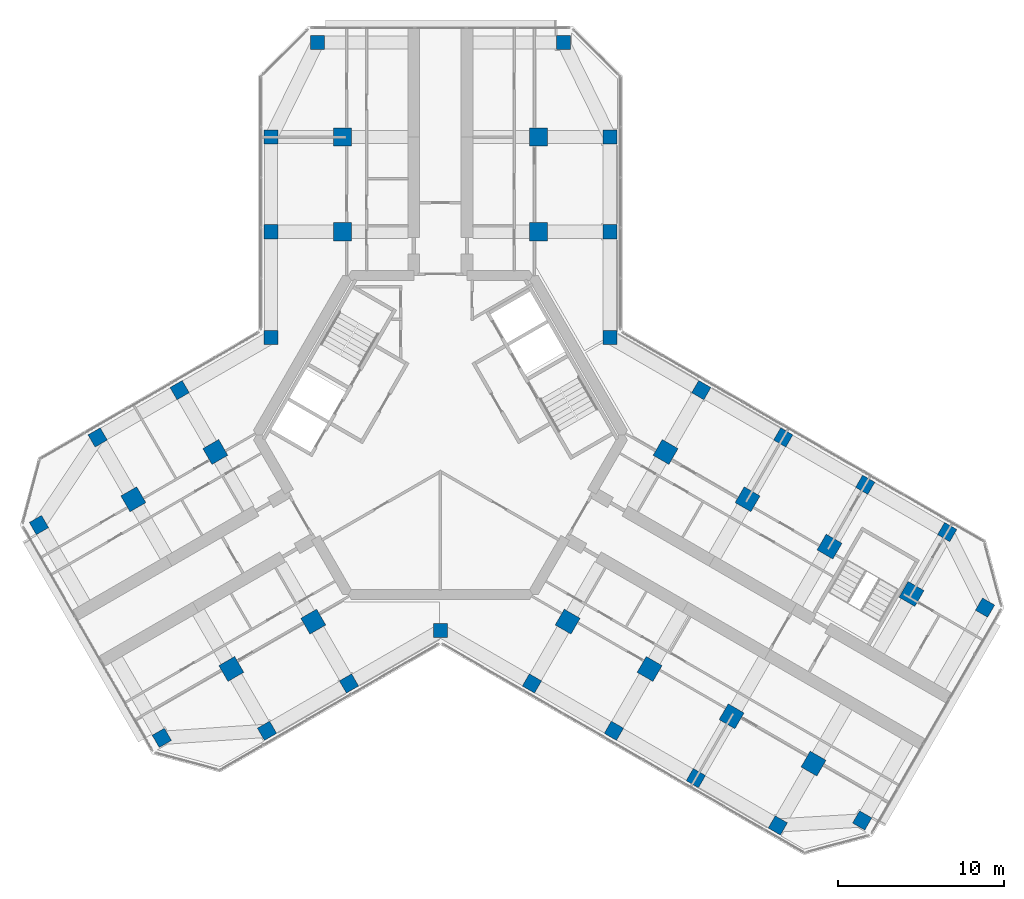
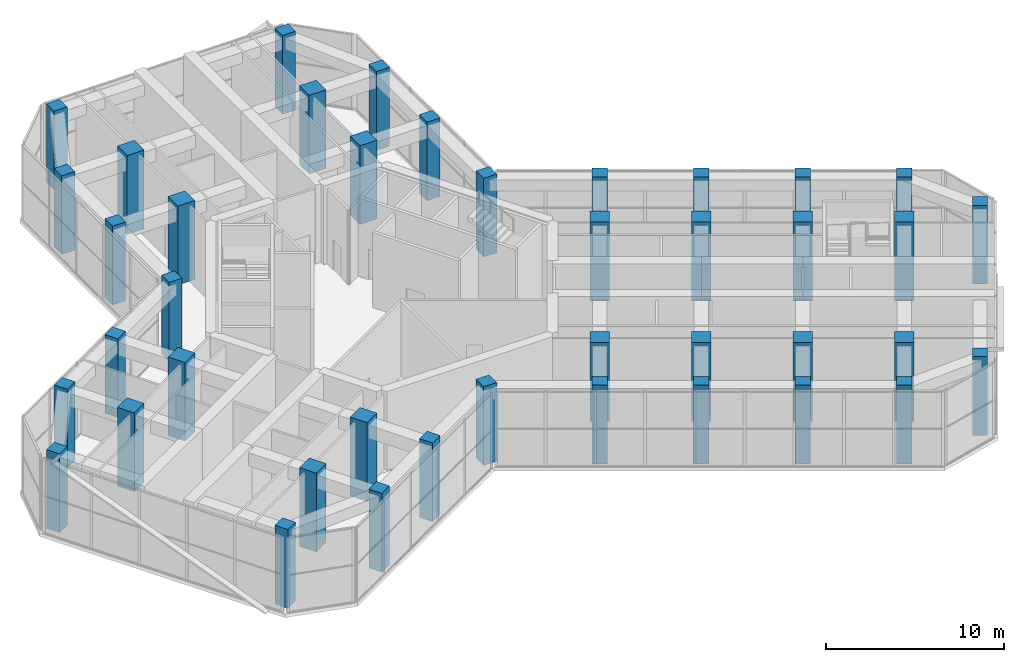
# One storey, part 1 of 16: 41 columns.
"""IFC4 building model written with IfcOpenShell, lengths in metres."""

from ifc_helpers import new_model, si_unit, direction, frame, origin, origin_2d, place, context, subcontext, project, spatial, rectangle, extrude, material, material_profile, profile_set, type_object, element, save


model = new_model("IFC4")

# Units and contexts
model_context = context("Model", 3, precision=1e-05, world=origin(), true_north=direction((0.0, 1.0)))
body_context = subcontext(model_context, "Body", "Model", "MODEL_VIEW")
ifc_project = project(units=[si_unit("LENGTHUNIT", "METRE"), si_unit("AREAUNIT", "SQUARE_METRE"), si_unit("VOLUMEUNIT", "CUBIC_METRE"), si_unit("PLANEANGLEUNIT", "RADIAN"), si_unit("MASSUNIT", "GRAM", prefix="KILO")], contexts=[model_context])

# Site, building, storey
site_placement = place(None, origin())
site = spatial("IfcSite", under=ifc_project, at=site_placement, CompositionType="ELEMENT")
building_placement = place(site_placement, origin())
building = spatial("IfcBuilding", under=site, at=building_placement, Name="Kosmar Iwan School Tower", CompositionType="ELEMENT")
storey_placement = place(building_placement, frame((0.0, 0.0, 226.199951171875)))
storey = spatial("IfcBuildingStorey", under=building, at=storey_placement, Name="L57", CompositionType="ELEMENT", Elevation=226.199951171875)

# Columns
ifc_material_1 = material(Name="Concrete C50/60", Category="concrete")
ifc_material_profile_1 = material_profile(ifc_material_1, rectangle(XDim=0.85009765625, YDim=0.85009765625, at=origin_2d()), Name="RC 850x850 + HD 400x347")
ifc_profile_set_1 = profile_set([ifc_material_profile_1], Name="Concrete C50/60")
column_type_1 = type_object("IfcColumnType", Name="Composite column 850x850 HD 400x347", PredefinedType="COLUMN", material=ifc_profile_set_1)
for number, where, z_axis, x_axis, name in (
    (1, (-10.199951171875, 12.25, 0.0), (0.0, 0.0, 1.0), (0.0, 1.0, 0.0), "Column AL1 L57"),
    (2, (-10.199951171875, 17.949951171875, 0.0), (0.0, 0.0, 1.0), (0.0, 1.0, 0.0), "Column AL2 L57"),
    (3, (-7.39990234375, 23.64990234375, 0.0), (0.0, 0.0, 1.0), (0.0, 1.0, 0.0), "Column ALTIP L57"),
    (4, (10.199951171875, 12.25, 0.0), (0.0, 0.0, 1.0), (0.0, 1.0, 0.0), "Column AR1 L57"),
    (5, (10.199951171875, 17.949951171875, 0.0), (0.0, 0.0, 1.0), (0.0, 1.0, 0.0), "Column AR2 L57"),
    (6, (7.39990234375, 23.64990234375, 0.0), (0.0, 0.0, 1.0), (0.0, 1.0, 0.0), "Column ARTIP L57"),
    (7, (-5.5087890625, -14.95849609375, 0.0), (0.0, 0.0, 1.0), (-0.866025403784, -0.5, 0.0), "Column BL1 L57"),
    (8, (-10.445068359375, -17.808349609375, 0.0), (0.0, 0.0, 1.0), (-0.866025403784, -0.5, 0.0), "Column BL2 L57"),
    (9, (-16.781494140625, -18.233642578125, 0.0), (0.0, 0.0, 1.0), (-0.866025403784, -0.5, 0.0), "Column BLTIP L57"),
    (10, (-15.708740234375, 2.70849609375, 0.0), (0.0, 0.0, 1.0), (-0.866025403784, -0.5, 0.0), "Column BR1 L57"),
    (11, (-20.645263671875, -0.1416015625, 0.0), (0.0, 0.0, 1.0), (-0.866025403784, -0.5, 0.0), "Column BR2 L57"),
    (12, (-24.181396484375, -5.41650390625, 0.0), (0.0, 0.0, 1.0), (-0.866025403784, -0.5, 0.0), "Column BRTIP L57"),
    (13, (15.708740234375, 2.70849609375, 0.0), (0.0, 0.0, 1.0), (0.866025403784, -0.5, 0.0), "Column CL1 L57"),
    (14, (20.645263671875, -0.1416015625, 0.0), (0.0, 0.0, 1.0), (0.866025403784, -0.5, 0.0), "Column CL2 L57"),
    (15, (25.58154296875, -2.991455078125, 0.0), (0.0, 0.0, 1.0), (0.866025403784, -0.5, 0.0), "Column CL3 L57"),
    (16, (30.517822265625, -5.841552734375, 0.0), (0.0, 0.0, 1.0), (0.866025403784, -0.5, 0.0), "Column CL4 L57"),
    (17, (32.79833984375, -10.391357421875, 0.0), (0.0, 0.0, 1.0), (0.866025403784, -0.5, 0.0), "Column CLTIP L57"),
    (18, (5.5087890625, -14.95849609375, 0.0), (0.0, 0.0, 1.0), (0.866025403784, -0.5, 0.0), "Column CR1 L57"),
    (19, (10.445068359375, -17.808349609375, 0.0), (0.0, 0.0, 1.0), (0.866025403784, -0.5, 0.0), "Column CR2 L57"),
    (20, (15.381591796875, -20.658447265625, 0.0), (0.0, 0.0, 1.0), (0.866025403784, -0.5, 0.0), "Column CR3 L57"),
    (21, (20.31787109375, -23.508544921875, 0.0), (0.0, 0.0, 1.0), (0.866025403784, -0.5, 0.0), "Column CR4 L57"),
    (22, (25.3984375, -23.20849609375, 0.0), (0.0, 0.0, 1.0), (0.866025403784, -0.5, 0.0), "Column CRTIP L57"),
    (23, (-10.199951171875, 5.888916015625, 0.0), (0.0, 0.0, 1.0), (1.0, 0.0, 0.0), "Column RAB L57"),
    (24, (10.199951171875, 5.888916015625, 0.0), (0.0, 0.0, 1.0), (1.0, 0.0, 0.0), "Column RAC L57"),
    (25, (0.0, -11.77783203125, 0.0), (0.0, 0.0, 1.0), (1.0, 0.0, 0.0), "Column RBC L57"),
):
    element("IfcColumn", number, at=place(storey_placement, frame(where, z_axis=z_axis, x_axis=x_axis)), inside=storey, type_object=column_type_1, Name=name, PredefinedType="COLUMN", context=body_context, shape_type="SweptSolid", body=[
        extrude(rectangle(XDim=0.85009765625, YDim=0.85009765625, at=origin_2d()), origin(), (0.0, 0.0, 1.0), 5.400146484375),
    ])
ifc_material_2 = material(Name="Concrete C50/60", Category="concrete")
ifc_material_profile_2 = material_profile(ifc_material_2, rectangle(XDim=1.10009765625, YDim=1.10009765625, at=origin_2d()), Name="RC 1100x1100")
ifc_profile_set_2 = profile_set([ifc_material_profile_2], Name="Concrete C50/60")
column_type_2 = type_object("IfcColumnType", Name="RC interior column 1100x1100", PredefinedType="COLUMN", material=ifc_profile_set_2)
for number, where, z_axis, x_axis, name in (
    (26, (-5.89990234375, 12.25, 0.0), (0.0, 0.0, 1.0), (0.0, 1.0, 0.0), "Interior column ALI1 L57"),
    (27, (-5.89990234375, 17.949951171875, 0.0), (0.0, 0.0, 1.0), (0.0, 1.0, 0.0), "Interior column ALI2 L57"),
    (28, (5.89990234375, 12.25, 0.0), (0.0, 0.0, 1.0), (0.0, 1.0, 0.0), "Interior column ARI1 L57"),
    (29, (5.89990234375, 17.949951171875, 0.0), (0.0, 0.0, 1.0), (0.0, 1.0, 0.0), "Interior column ARI2 L57"),
    (30, (-7.65869140625, -11.234619140625, 0.0), (0.0, 0.0, 1.0), (-0.866025403784, -0.5, 0.0), "Interior column BLI1 L57"),
    (31, (-12.59521484375, -14.08447265625, 0.0), (0.0, 0.0, 1.0), (-0.866025403784, -0.5, 0.0), "Interior column BLI2 L57"),
    (32, (-13.558837890625, -1.015380859375, 0.0), (0.0, 0.0, 1.0), (-0.866025403784, -0.5, 0.0), "Interior column BRI1 L57"),
    (33, (-18.4951171875, -3.865478515625, 0.0), (0.0, 0.0, 1.0), (-0.866025403784, -0.5, 0.0), "Interior column BRI2 L57"),
    (34, (13.558837890625, -1.015380859375, 0.0), (0.0, 0.0, 1.0), (0.866025403784, -0.5, 0.0), "Interior column CLI1 L57"),
    (35, (18.4951171875, -3.865478515625, 0.0), (0.0, 0.0, 1.0), (0.866025403784, -0.5, 0.0), "Interior column CLI2 L57"),
    (36, (23.431396484375, -6.71533203125, 0.0), (0.0, 0.0, 1.0), (0.866025403784, -0.5, 0.0), "Interior column CLI3 L57"),
    (37, (28.367919921875, -9.5654296875, 0.0), (0.0, 0.0, 1.0), (0.866025403784, -0.5, 0.0), "Interior column CLI4 L57"),
    (38, (7.65869140625, -11.234619140625, 0.0), (0.0, 0.0, 1.0), (0.866025403784, -0.5, 0.0), "Interior column CRI1 L57"),
    (39, (12.59521484375, -14.08447265625, 0.0), (0.0, 0.0, 1.0), (0.866025403784, -0.5, 0.0), "Interior column CRI2 L57"),
    (40, (17.531494140625, -16.9345703125, 0.0), (0.0, 0.0, 1.0), (0.866025403784, -0.5, 0.0), "Interior column CRI3 L57"),
    (41, (22.4677734375, -19.78466796875, 0.0), (0.0, 0.0, 1.0), (0.866025403784, -0.5, 0.0), "Interior column CRI4 L57"),
):
    element("IfcColumn", number, at=place(storey_placement, frame(where, z_axis=z_axis, x_axis=x_axis)), inside=storey, type_object=column_type_2, Name=name, PredefinedType="COLUMN", context=body_context, shape_type="SweptSolid", body=[
        extrude(rectangle(XDim=1.10009765625, YDim=1.10009765625, at=origin_2d()), origin(), (0.0, 0.0, 1.0), 5.400146484375),
    ])

save(model, "model.ifc")
